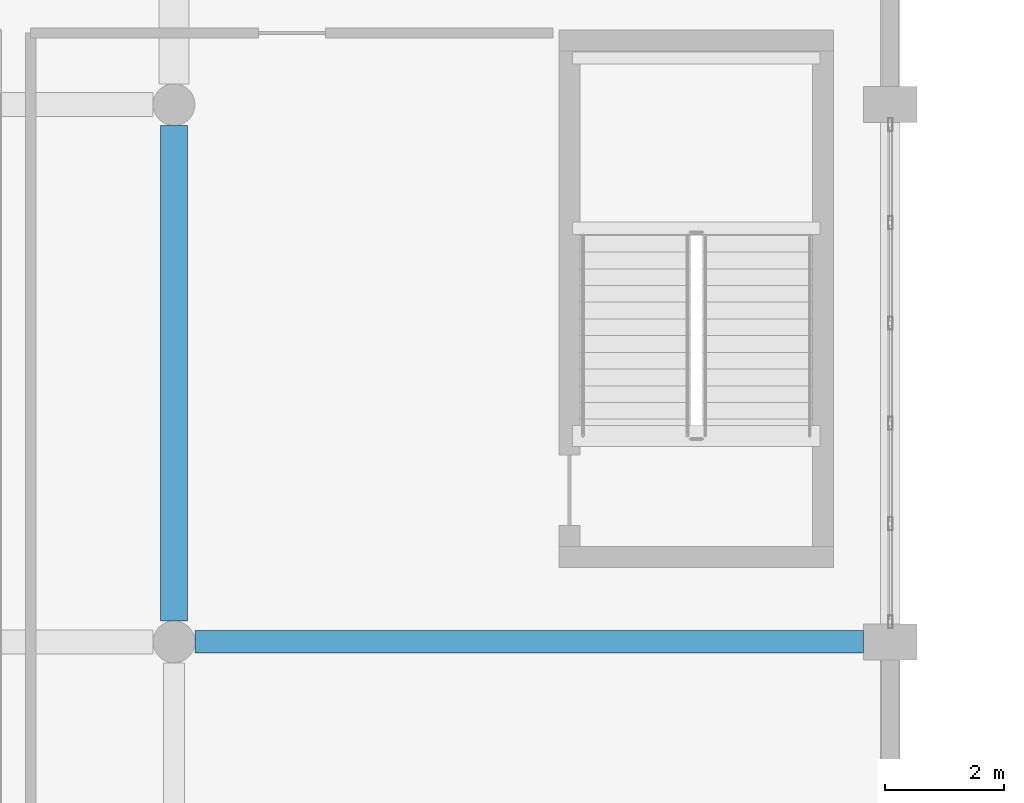
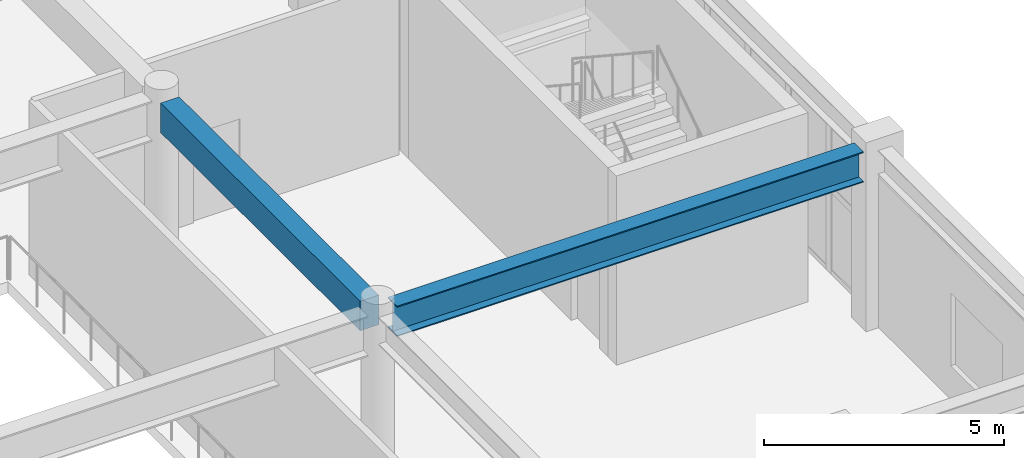
# One storey, part 21 of 85: 2 beams.
"""IFC4 building model written with IfcOpenShell, lengths in metres."""

import ifcopenshell
import ifcopenshell.guid

model = None  # the IFC model being written
_history = None  # IfcOwnerHistory: only IFC2X3 demands one
_inside = {}  # id of a spatial element -> (the spatial element, [elements in it])
_under = {}  # id of a project, library or spatial element -> (it, [spatial elements below it])
_declared = {}  # id of a project -> (the project, [libraries it declares])
_typed = {}  # id of a type object -> (the type object, [elements of that type])
_made_of = {}  # id of a material, layer set ... -> (it, [elements and type objects made of it])


def new_model(schema):
    """Start an empty IFC model of exactly this schema.

    Asked for "IFC4X3", IfcOpenShell would pick the latest addendum, in which some entities
    have other attributes; the version numbers below select the first issue.
    IFC2X3 requires an IfcOwnerHistory on every rooted entity: one is made here for all.
    """
    global model, _history
    if schema == "IFC4X3":
        model = ifcopenshell.file(schema_version=(4, 3, 0, 0))
    else:
        model = ifcopenshell.file(schema=schema)
    _inside.clear()
    _under.clear()
    _declared.clear()
    _typed.clear()
    _made_of.clear()
    _history = None
    if model.schema == "IFC2X3":
        org = make("IfcOrganization", Name="unknown")
        user = make(
            "IfcPersonAndOrganization",
            ThePerson=make("IfcPerson", FamilyName="unknown"),
            TheOrganization=org,
        )
        app = make(
            "IfcApplication",
            ApplicationDeveloper=org,
            Version="unknown",
            ApplicationFullName="unknown",
            ApplicationIdentifier="unknown",
        )
        _history = make(
            "IfcOwnerHistory",
            OwningUser=user,
            OwningApplication=app,
            ChangeAction="ADDED",
            CreationDate=0,
        )
    return model


def make(cls, **values):
    """One entity of the class cls with the attributes given. An attribute that is None is left unset."""
    return model.create_entity(
        cls, **{name: value for name, value in values.items() if value is not None}
    )


def rooted(cls, **values):
    """An entity with a GlobalId (a new one), such as an element, a storey or a relation."""
    return make(cls, GlobalId=ifcopenshell.guid.new(), OwnerHistory=_history, **values)


def si_unit(unit_type, name, prefix=None):
    """IfcSIUnit, for example si_unit("LENGTHUNIT", "METRE", prefix="MILLI")."""
    return make("IfcSIUnit", UnitType=unit_type, Prefix=prefix, Name=name)


def assignment(units):
    """IfcUnitAssignment: the units of a project."""
    return None if units is None else make("IfcUnitAssignment", Units=units)


def point(xyz):
    """IfcCartesianPoint."""
    return None if xyz is None else make("IfcCartesianPoint", Coordinates=xyz)


def direction(xyz):
    """IfcDirection."""
    return None if xyz is None else make("IfcDirection", DirectionRatios=xyz)


def frame(location, z_axis=None, x_axis=None):
    """IfcAxis2Placement3D, a coordinate frame: its origin and axes. An axis left out is left unset."""
    return make(
        "IfcAxis2Placement3D",
        Location=point(location),
        Axis=direction(z_axis),
        RefDirection=direction(x_axis),
    )


def frame_2d(location, x_axis=None):
    """IfcAxis2Placement2D, a coordinate frame in the plane: its origin and x axis."""
    return make(
        "IfcAxis2Placement2D", Location=point(location), RefDirection=direction(x_axis)
    )


def origin():
    """The frame at (0, 0, 0) with its axes left unset."""
    return frame((0.0, 0.0, 0.0))


def origin_2d():
    """The frame at (0, 0) in the plane with its x axis left unset."""
    return frame_2d((0.0, 0.0))


def place(relative_to, where):
    """IfcLocalPlacement: puts the frame where relative to a parent placement (None: the world)."""
    return make(
        "IfcLocalPlacement", PlacementRelTo=relative_to, RelativePlacement=where
    )


def context(
    kind, dimensions, precision=None, world=None, true_north=None, identifier=None
):
    """IfcGeometricRepresentationContext, for example the 3D "Model" context."""
    return make(
        "IfcGeometricRepresentationContext",
        ContextIdentifier=identifier,
        ContextType=kind,
        CoordinateSpaceDimension=dimensions,
        Precision=precision,
        WorldCoordinateSystem=world,
        TrueNorth=true_north,
    )


def subcontext(parent, identifier, kind, view, scale=None):
    """IfcGeometricRepresentationSubContext, for example "Body" below "Model"."""
    return make(
        "IfcGeometricRepresentationSubContext",
        ContextIdentifier=identifier,
        ContextType=kind,
        ParentContext=parent,
        TargetScale=scale,
        TargetView=view,
    )


def project(units=None, contexts=None):
    """IfcProject with its units and contexts."""
    return rooted(
        "IfcProject",
        Name="project",
        RepresentationContexts=contexts,
        UnitsInContext=assignment(units),
    )


def spatial(cls, under=None, at=None, **own):
    """A site, building, storey or space (cls), placed at a placement, below another one or the project."""
    s = rooted(cls, ObjectPlacement=at, **own)
    if under is not None:
        _under.setdefault(under.id(), (under, []))[1].append(s)
    return s


def profile(cls, at=None, kind="AREA", **sizes):
    """A parametric profile (cls). Its sizes go by their IFC names, for example OverallWidth=200.0."""
    return make(cls, ProfileType=kind, Position=at, **sizes)


def rectangle(**sizes):
    """IfcRectangleProfileDef."""
    return profile("IfcRectangleProfileDef", **sizes)


def i_section(**sizes):
    """IfcIShapeProfileDef."""
    return profile("IfcIShapeProfileDef", **sizes)


def extrude(swept, where, along, depth):
    """IfcExtrudedAreaSolid: the profile swept, set in the frame where, extruded along a direction by depth."""
    return make(
        "IfcExtrudedAreaSolid",
        SweptArea=swept,
        Position=where,
        ExtrudedDirection=direction(along),
        Depth=depth,
    )


def shape(context_of_items, identifier, shape_type, items):
    """IfcShapeRepresentation: the items that make up one representation, for example the "Body"."""
    return make(
        "IfcShapeRepresentation",
        ContextOfItems=context_of_items,
        RepresentationIdentifier=identifier,
        RepresentationType=shape_type,
        Items=items,
    )


def material(Name=None, Category=None):
    """IfcMaterial."""
    return make("IfcMaterial", Name=Name, Category=Category)


def material_profile(
    of_material, cross_section, Name=None, Category=None, Priority=None
):
    """IfcMaterialProfile: a cross section and its material."""
    return make(
        "IfcMaterialProfile",
        Name=Name,
        Material=of_material,
        Profile=cross_section,
        Priority=Priority,
        Category=Category,
    )


def profile_set(profiles, Name=None, composite=None):
    """IfcMaterialProfileSet."""
    return make(
        "IfcMaterialProfileSet",
        Name=Name,
        MaterialProfiles=profiles,
        CompositeProfile=composite,
    )


def made_of(thing, what):
    """Note that an element or type object is made of a material, layer set ...; save() writes the relation."""
    if what is not None:
        _made_of.setdefault(what.id(), (what, []))[1].append(thing)
    return thing


def type_object(cls, material=None, **own):
    """A type object (cls), such as IfcWallType, which elements share."""
    return made_of(rooted(cls, **own), material)


def element(
    cls,
    number,
    at=None,
    inside=None,
    cuts=None,
    type_object=None,
    material=None,
    context=None,
    identifier="Body",
    shape_type=None,
    held_by="IfcProductDefinitionShape",
    body=None,
    shapes=None,
    **own,
):
    """One element of the class cls, such as IfcWall. Its Tag is "e" and its number.

    at: its placement. inside: the storey or other place that contains it. cuts: it is an
    opening in that element (IfcRelVoidsElement). A single representation is given by context,
    identifier, shape_type and body (its items); several are given by shapes. held_by: the class
    of the entity that holds the representations. save() writes the other relations.
    """
    e = rooted(cls, Tag="e%d" % number, ObjectPlacement=at, **own)
    if body is not None:
        shapes = [shape(context, identifier, shape_type, body)]
    if shapes is not None:
        e.Representation = make(held_by, Representations=shapes)
    if inside is not None:
        _inside.setdefault(inside.id(), (inside, []))[1].append(e)
    if cuts is not None:
        rooted(
            "IfcRelVoidsElement", RelatingBuildingElement=cuts, RelatedOpeningElement=e
        )
    if type_object is not None:
        _typed.setdefault(type_object.id(), (type_object, []))[1].append(e)
    return made_of(e, material)


def aggregate(whole, parts):
    """IfcRelAggregates: a whole, such as a stair, and the parts it consists of."""
    return rooted("IfcRelAggregates", RelatingObject=whole, RelatedObjects=parts)


def save(model, path):
    """Write the relations noted so far, then the file.

    IfcRelAggregates (storeys below a building ...), IfcRelContainedInSpatialStructure (elements
    in a storey), IfcRelDefinesByType, IfcRelAssociatesMaterial and IfcRelDeclares: one each for
    every whole, place, type object, material and project.
    """
    for whole, parts in _under.values():
        aggregate(whole, parts)
    for where, things in _inside.values():
        rooted(
            "IfcRelContainedInSpatialStructure",
            RelatedElements=things,
            RelatingStructure=where,
        )
    for kind, things in _typed.values():
        rooted("IfcRelDefinesByType", RelatedObjects=things, RelatingType=kind)
    for what, things in _made_of.values():
        rooted("IfcRelAssociatesMaterial", RelatedObjects=things, RelatingMaterial=what)
    for by, libraries in _declared.values():
        rooted("IfcRelDeclares", RelatingContext=by, RelatedDefinitions=libraries)
    model.write(path)


model = new_model("IFC4")

# Units and contexts
model_context = context("Model", 3, precision=1e-05, world=origin(), true_north=direction((0.0, 1.0)))
body_context = subcontext(model_context, "Body", "Model", "MODEL_VIEW")
ifc_project = project(units=[si_unit("LENGTHUNIT", "METRE"), si_unit("AREAUNIT", "SQUARE_METRE"), si_unit("VOLUMEUNIT", "CUBIC_METRE"), si_unit("PLANEANGLEUNIT", "RADIAN"), si_unit("MASSUNIT", "GRAM", prefix="KILO")], contexts=[model_context])

# Site, building, storey
site_placement = place(None, origin())
site = spatial("IfcSite", under=ifc_project, at=site_placement, CompositionType="ELEMENT")
building_placement = place(site_placement, origin())
building = spatial("IfcBuilding", under=site, at=building_placement, Name="Vaelkrest Opera House", CompositionType="ELEMENT")
storey_placement = place(building_placement, frame((0.0, 0.0, 10.199951171875)))
storey = spatial("IfcBuildingStorey", under=building, at=storey_placement, Name="L02", CompositionType="ELEMENT", Elevation=10.199951171875)

# Beams
ifc_material_1 = material(Name="Concrete C50/60", Category="concrete")
ifc_material_profile_1 = material_profile(ifc_material_1, rectangle(XDim=0.449951171875, YDim=0.75, at=origin_2d()), Name="RCB450X750")
ifc_profile_set_1 = profile_set([ifc_material_profile_1], Name="Concrete C50/60")
beam_type_1 = type_object("IfcBeamType", Name="B02", PredefinedType="BEAM", material=ifc_profile_set_1)
beam_1_placement = place(storey_placement, frame((18.0, -46.449951171875, 4.130126953125), z_axis=(0.0, 1.0, 0.0), x_axis=(-1.0, 0.0, 0.0)))
element("IfcBeam", 1, at=beam_1_placement, inside=storey, type_object=beam_type_1, Name="Beam BM-V1-L02-0387", PredefinedType="BEAM", context=body_context, shape_type="SweptSolid", body=[
    extrude(rectangle(XDim=0.449951171875, YDim=0.75, at=origin_2d()), origin(), (0.0, 0.0, 1.0), 8.300048828125),
])
ifc_material_2 = material(Name="Steel A992 Gr50", Category="steel")
ifc_material_profile_2 = material_profile(ifc_material_2, i_section(OverallWidth=0.381103515625, OverallDepth=0.77294921875, WebThickness=0.0166015625, FlangeThickness=0.027099609375, at=origin_2d()), Name="W30X173")
ifc_profile_set_2 = profile_set([ifc_material_profile_2], Name="Steel A992 Gr50")
beam_type_2 = type_object("IfcBeamType", Name="B11", PredefinedType="BEAM", material=ifc_profile_set_2)
beam_2_placement = place(storey_placement, frame((18.35009765625, -46.800048828125, 4.11865234375), z_axis=(1.0, 0.0, 0.0), x_axis=(0.0, 1.0, 0.0)))
element("IfcBeam", 2, at=beam_2_placement, inside=storey, type_object=beam_type_2, Name="Beam BM-V1-L02-0325", PredefinedType="BEAM", context=body_context, shape_type="SweptSolid", body=[
    extrude(i_section(OverallWidth=0.381103515625, OverallDepth=0.77294921875, WebThickness=0.0166015625, FlangeThickness=0.027099609375, at=origin_2d()), origin(), (0.0, 0.0, 1.0), 11.199951171875),
])

save(model, "model.ifc")
